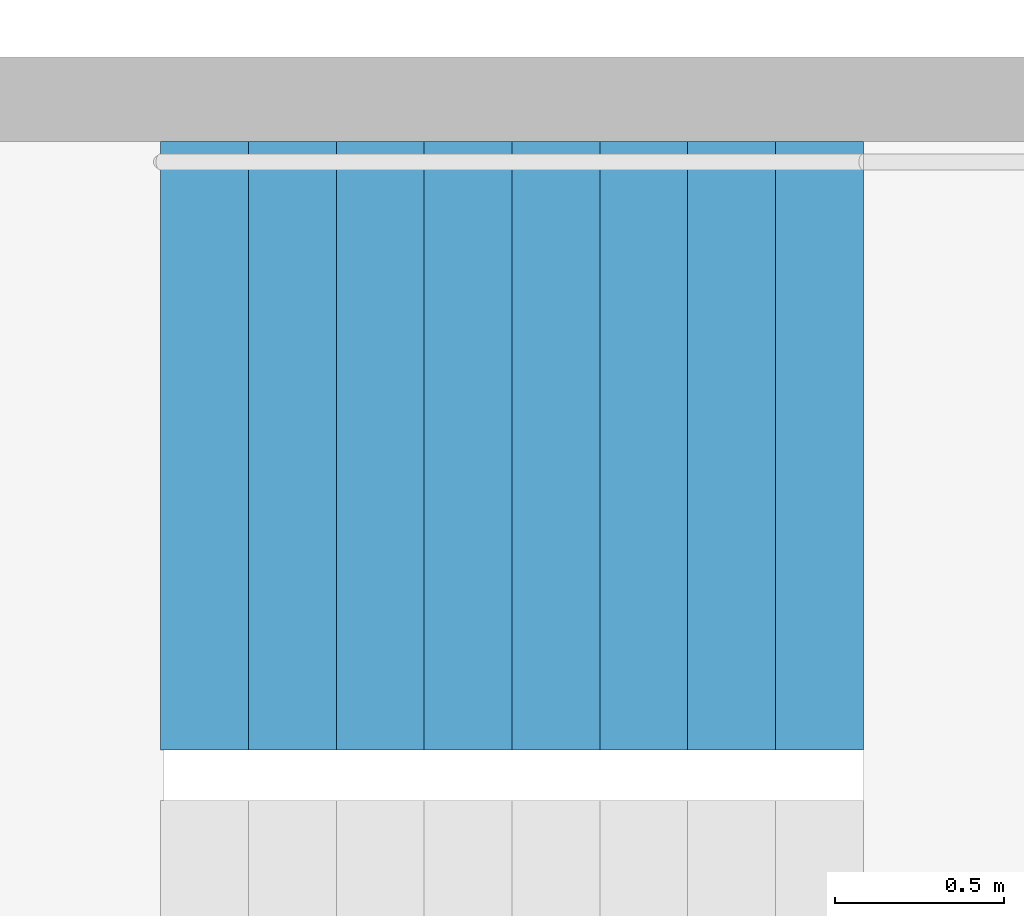
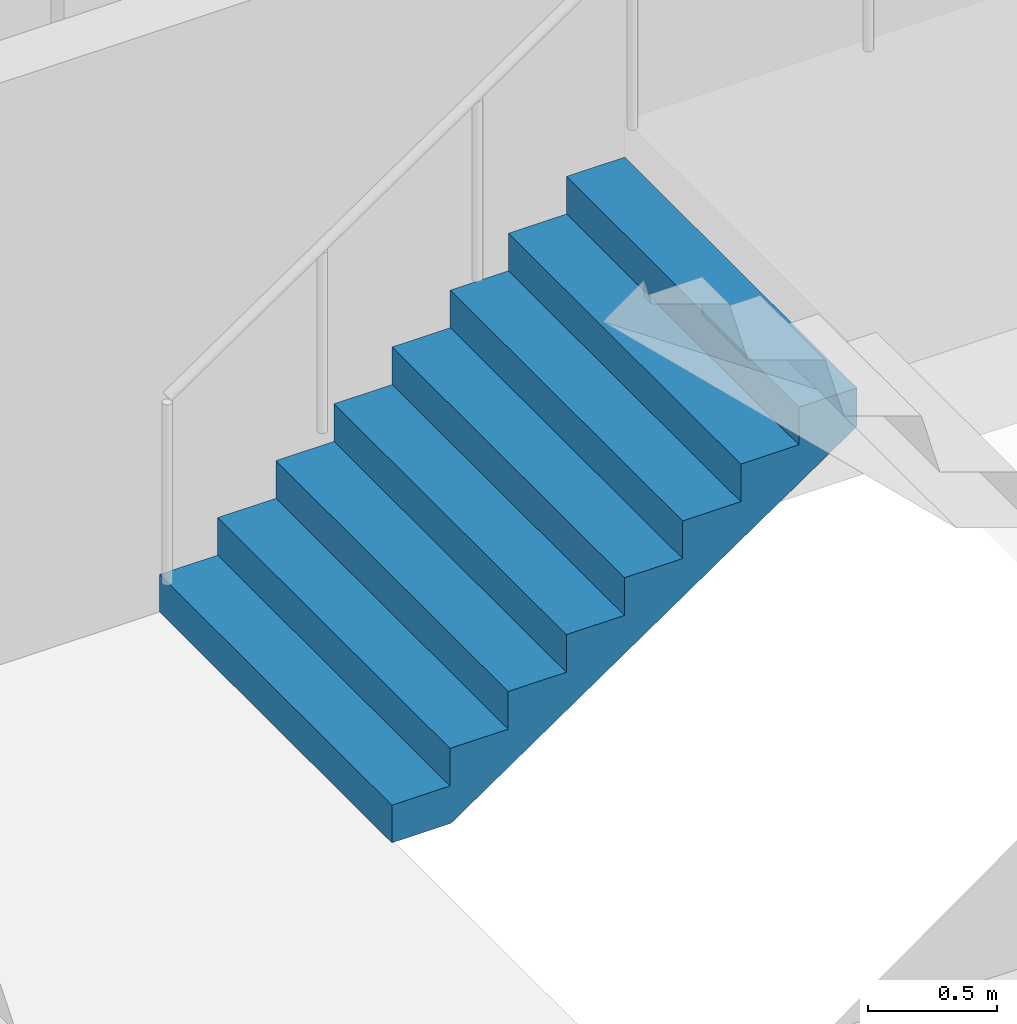
# One storey, part 23 of 26: 1 stair flight, 1 element without a shape of its own.
"""IFC4 building model written with IfcOpenShell, lengths in metres."""

from ifc_helpers import new_model, si_unit, direction, frame, origin, place, context, subcontext, project, spatial, triangles, material, type_object, element, aggregate, save


model = new_model("IFC4")

# Units and contexts
model_context = context("Model", 3, precision=1e-05, world=origin(), true_north=direction((0.0, 1.0)))
body_context = subcontext(model_context, "Body", "Model", "MODEL_VIEW")
ifc_project = project(units=[si_unit("LENGTHUNIT", "METRE"), si_unit("AREAUNIT", "SQUARE_METRE"), si_unit("VOLUMEUNIT", "CUBIC_METRE"), si_unit("PLANEANGLEUNIT", "RADIAN"), si_unit("MASSUNIT", "GRAM", prefix="KILO")], contexts=[model_context])

# Site, building, storey
site_placement = place(None, origin())
site = spatial("IfcSite", under=ifc_project, at=site_placement, CompositionType="ELEMENT")
building_placement = place(site_placement, origin())
building = spatial("IfcBuilding", under=site, at=building_placement, Name="Hakoniwa Tower and Hamabe Station Hall", CompositionType="ELEMENT")
storey_placement = place(building_placement, frame((0.0, 0.0, 215.39990234375)))
storey = spatial("IfcBuildingStorey", under=building, at=storey_placement, Name="L61", CompositionType="ELEMENT", Elevation=215.39990234375)

# Stair, stair flight
ifc_material_1 = material(Name="Concrete C40", Category="concrete")
stair_type = type_object("IfcStairType", Name="ESCAPE STAIR 1800", PredefinedType="HALF_TURN_STAIR", material=ifc_material_1)
stair_placement = place(storey_placement, origin())
stair = element("IfcStair", 1, at=stair_placement, inside=storey, type_object=stair_type, Name="Escape stair ST-4 L61", PredefinedType="HALF_TURN_STAIR")
ifc_material_2 = material(Name="Concrete C40", Category="concrete")
stair_flight_type = type_object("IfcStairFlightType", Name="STAIR FLIGHT 1800", PredefinedType="STRAIGHT", material=ifc_material_2)
stair_flight_placement = place(storey_placement, frame((23.39990234375, -4.64990234375, 0.0), z_axis=(0.0, 0.0, 1.0), x_axis=(1.0, 0.0, 0.0)))
stair_flight = element("IfcStairFlight", 2, at=stair_flight_placement, type_object=stair_flight_type, Name="ST-4 flight 1", NumberOfRisers=9, NumberOfTreads=8, PredefinedType="STRAIGHT", RiserHeight=0.177777778, TreadLength=0.26, context=body_context, shape_type="Tessellation", body=[
    triangles([(0.0, 0.89990234375, 0.0), (0.260009765625, 0.89990234375, 0.0), (0.265625, 0.89990234375, 0.0), (0.52001953125, 0.89990234375, 0.174072265625), (0.780029296875, 0.89990234375, 0.351806640625), (1.0400390625, 0.89990234375, 0.529541015625), (1.300048828125, 0.89990234375, 0.707275390625), (1.56005859375, 0.89990234375, 0.885009765625), (1.820068359375, 0.89990234375, 1.062744140625), (2.080078125, 0.89990234375, 1.24072265625), (2.080078125, 0.89990234375, 1.422119140625), (1.820068359375, 0.89990234375, 1.422119140625), (1.820068359375, 0.89990234375, 1.244384765625), (1.56005859375, 0.89990234375, 1.244384765625), (1.56005859375, 0.89990234375, 1.066650390625), (1.300048828125, 0.89990234375, 1.066650390625), (1.300048828125, 0.89990234375, 0.888916015625), (1.0400390625, 0.89990234375, 0.888916015625), (1.0400390625, 0.89990234375, 0.711181640625), (0.780029296875, 0.89990234375, 0.711181640625), (0.780029296875, 0.89990234375, 0.533447265625), (0.52001953125, 0.89990234375, 0.533447265625), (0.52001953125, 0.89990234375, 0.35546875), (0.265625, 0.89990234375, 0.35546875), (0.260009765625, 0.89990234375, 0.35546875), (0.260009765625, 0.89990234375, 0.177734375), (0.0, 0.89990234375, 0.177734375), (0.0, 0.06005859375, 0.0), (0.260009765625, 0.06005859375, 0.0), (0.265625, 0.06005859375, 0.0), (0.52001953125, 0.06005859375, 0.174072265625), (0.780029296875, 0.06005859375, 0.351806640625), (1.0400390625, 0.06005859375, 0.529541015625), (1.300048828125, 0.06005859375, 0.707275390625), (1.56005859375, 0.06005859375, 0.885009765625), (1.820068359375, 0.06005859375, 1.062744140625), (2.080078125, 0.06005859375, 1.24072265625), (2.080078125, 0.06005859375, 1.422119140625), (1.820068359375, 0.06005859375, 1.422119140625), (1.820068359375, 0.06005859375, 1.244384765625), (1.56005859375, 0.06005859375, 1.244384765625), (1.56005859375, 0.06005859375, 1.066650390625), (1.300048828125, 0.06005859375, 1.066650390625), (1.300048828125, 0.06005859375, 0.888916015625), (1.0400390625, 0.06005859375, 0.888916015625), (1.0400390625, 0.06005859375, 0.711181640625), (0.780029296875, 0.06005859375, 0.711181640625), (0.780029296875, 0.06005859375, 0.533447265625), (0.52001953125, 0.06005859375, 0.533447265625), (0.52001953125, 0.06005859375, 0.35546875), (0.265625, 0.06005859375, 0.35546875), (0.260009765625, 0.06005859375, 0.35546875), (0.260009765625, 0.06005859375, 0.177734375), (0.0, 0.06005859375, 0.177734375), (0.0, 0.04296875, 0.0), (0.260009765625, 0.04296875, 0.0), (0.265625, 0.04296875, 0.0), (0.52001953125, 0.04296875, 0.174072265625), (0.780029296875, 0.04296875, 0.351806640625), (1.0400390625, 0.04296875, 0.529541015625), (1.300048828125, 0.04296875, 0.707275390625), (1.56005859375, 0.04296875, 0.885009765625), (1.820068359375, 0.04296875, 1.062744140625), (2.080078125, 0.04296875, 1.24072265625), (2.080078125, 0.04296875, 1.422119140625), (1.820068359375, 0.04296875, 1.422119140625), (1.820068359375, 0.04296875, 1.244384765625), (1.56005859375, 0.04296875, 1.244384765625), (1.56005859375, 0.04296875, 1.066650390625), (1.300048828125, 0.04296875, 1.066650390625), (1.300048828125, 0.04296875, 0.888916015625), (1.0400390625, 0.04296875, 0.888916015625), (1.0400390625, 0.04296875, 0.711181640625), (0.780029296875, 0.04296875, 0.711181640625), (0.780029296875, 0.04296875, 0.533447265625), (0.52001953125, 0.04296875, 0.533447265625), (0.52001953125, 0.04296875, 0.35546875), (0.265625, 0.04296875, 0.35546875), (0.260009765625, 0.04296875, 0.35546875), (0.260009765625, 0.04296875, 0.177734375), (0.0, 0.04296875, 0.177734375), (0.0, 0.025634765625, 0.0), (0.260009765625, 0.025634765625, 0.0), (0.265625, 0.025634765625, 0.0), (0.52001953125, 0.025634765625, 0.174072265625), (0.780029296875, 0.025634765625, 0.351806640625), (1.0400390625, 0.025634765625, 0.529541015625), (1.300048828125, 0.025634765625, 0.707275390625), (1.56005859375, 0.025634765625, 0.885009765625), (1.820068359375, 0.025634765625, 1.062744140625), (2.080078125, 0.025634765625, 1.24072265625), (2.080078125, 0.025634765625, 1.422119140625), (1.820068359375, 0.025634765625, 1.422119140625), (1.820068359375, 0.025634765625, 1.244384765625), (1.56005859375, 0.025634765625, 1.244384765625), (1.56005859375, 0.025634765625, 1.066650390625), (1.300048828125, 0.025634765625, 1.066650390625), (1.300048828125, 0.025634765625, 0.888916015625), (1.0400390625, 0.025634765625, 0.888916015625), (1.0400390625, 0.025634765625, 0.711181640625), (0.780029296875, 0.025634765625, 0.711181640625), (0.780029296875, 0.025634765625, 0.533447265625), (0.52001953125, 0.025634765625, 0.533447265625), (0.52001953125, 0.025634765625, 0.35546875), (0.265625, 0.025634765625, 0.35546875), (0.260009765625, 0.025634765625, 0.35546875), (0.260009765625, 0.025634765625, 0.177734375), (0.0, 0.025634765625, 0.177734375), (0.0, 0.008544921875, 0.0), (0.260009765625, 0.008544921875, 0.0), (0.265625, 0.008544921875, 0.0), (0.52001953125, 0.008544921875, 0.174072265625), (0.780029296875, 0.008544921875, 0.351806640625), (1.0400390625, 0.008544921875, 0.529541015625), (1.300048828125, 0.008544921875, 0.707275390625), (1.56005859375, 0.008544921875, 0.885009765625), (1.820068359375, 0.008544921875, 1.062744140625), (2.080078125, 0.008544921875, 1.24072265625), (2.080078125, 0.008544921875, 1.422119140625), (1.820068359375, 0.008544921875, 1.422119140625), (1.820068359375, 0.008544921875, 1.244384765625), (1.56005859375, 0.008544921875, 1.244384765625), (1.56005859375, 0.008544921875, 1.066650390625), (1.300048828125, 0.008544921875, 1.066650390625), (1.300048828125, 0.008544921875, 0.888916015625), (1.0400390625, 0.008544921875, 0.888916015625), (1.0400390625, 0.008544921875, 0.711181640625), (0.780029296875, 0.008544921875, 0.711181640625), (0.780029296875, 0.008544921875, 0.533447265625), (0.52001953125, 0.008544921875, 0.533447265625), (0.52001953125, 0.008544921875, 0.35546875), (0.265625, 0.008544921875, 0.35546875), (0.260009765625, 0.008544921875, 0.35546875), (0.260009765625, 0.008544921875, 0.177734375), (0.0, 0.008544921875, 0.177734375), (0.0, -0.008544921875, 0.0), (0.260009765625, -0.008544921875, 0.0), (0.265625, -0.008544921875, 0.0), (0.52001953125, -0.008544921875, 0.174072265625), (0.780029296875, -0.008544921875, 0.351806640625), (1.0400390625, -0.008544921875, 0.529541015625), (1.300048828125, -0.008544921875, 0.707275390625), (1.56005859375, -0.008544921875, 0.885009765625), (1.820068359375, -0.008544921875, 1.062744140625), (2.080078125, -0.008544921875, 1.24072265625), (2.080078125, -0.008544921875, 1.422119140625), (1.820068359375, -0.008544921875, 1.422119140625), (1.820068359375, -0.008544921875, 1.244384765625), (1.56005859375, -0.008544921875, 1.244384765625), (1.56005859375, -0.008544921875, 1.066650390625), (1.300048828125, -0.008544921875, 1.066650390625), (1.300048828125, -0.008544921875, 0.888916015625), (1.0400390625, -0.008544921875, 0.888916015625), (1.0400390625, -0.008544921875, 0.711181640625), (0.780029296875, -0.008544921875, 0.711181640625), (0.780029296875, -0.008544921875, 0.533447265625), (0.52001953125, -0.008544921875, 0.533447265625), (0.52001953125, -0.008544921875, 0.35546875), (0.265625, -0.008544921875, 0.35546875), (0.260009765625, -0.008544921875, 0.35546875), (0.260009765625, -0.008544921875, 0.177734375), (0.0, -0.008544921875, 0.177734375), (0.0, -0.025634765625, 0.0), (0.260009765625, -0.025634765625, 0.0), (0.265625, -0.025634765625, 0.0), (0.52001953125, -0.025634765625, 0.174072265625), (0.780029296875, -0.025634765625, 0.351806640625), (1.0400390625, -0.025634765625, 0.529541015625), (1.300048828125, -0.025634765625, 0.707275390625), (1.56005859375, -0.025634765625, 0.885009765625), (1.820068359375, -0.025634765625, 1.062744140625), (2.080078125, -0.025634765625, 1.24072265625), (2.080078125, -0.025634765625, 1.422119140625), (1.820068359375, -0.025634765625, 1.422119140625), (1.820068359375, -0.025634765625, 1.244384765625), (1.56005859375, -0.025634765625, 1.244384765625), (1.56005859375, -0.025634765625, 1.066650390625), (1.300048828125, -0.025634765625, 1.066650390625), (1.300048828125, -0.025634765625, 0.888916015625), (1.0400390625, -0.025634765625, 0.888916015625), (1.0400390625, -0.025634765625, 0.711181640625), (0.780029296875, -0.025634765625, 0.711181640625), (0.780029296875, -0.025634765625, 0.533447265625), (0.52001953125, -0.025634765625, 0.533447265625), (0.52001953125, -0.025634765625, 0.35546875), (0.265625, -0.025634765625, 0.35546875), (0.260009765625, -0.025634765625, 0.35546875), (0.260009765625, -0.025634765625, 0.177734375), (0.0, -0.025634765625, 0.177734375), (0.0, -0.04296875, 0.0), (0.260009765625, -0.04296875, 0.0), (0.265625, -0.04296875, 0.0), (0.52001953125, -0.04296875, 0.174072265625), (0.780029296875, -0.04296875, 0.351806640625), (1.0400390625, -0.04296875, 0.529541015625), (1.300048828125, -0.04296875, 0.707275390625), (1.56005859375, -0.04296875, 0.885009765625), (1.820068359375, -0.04296875, 1.062744140625), (2.080078125, -0.04296875, 1.24072265625), (2.080078125, -0.04296875, 1.422119140625), (1.820068359375, -0.04296875, 1.422119140625), (1.820068359375, -0.04296875, 1.244384765625), (1.56005859375, -0.04296875, 1.244384765625), (1.56005859375, -0.04296875, 1.066650390625), (1.300048828125, -0.04296875, 1.066650390625), (1.300048828125, -0.04296875, 0.888916015625), (1.0400390625, -0.04296875, 0.888916015625), (1.0400390625, -0.04296875, 0.711181640625), (0.780029296875, -0.04296875, 0.711181640625), (0.780029296875, -0.04296875, 0.533447265625), (0.52001953125, -0.04296875, 0.533447265625), (0.52001953125, -0.04296875, 0.35546875), (0.265625, -0.04296875, 0.35546875), (0.260009765625, -0.04296875, 0.35546875), (0.260009765625, -0.04296875, 0.177734375), (0.0, -0.04296875, 0.177734375), (0.0, -0.06005859375, 0.0), (0.260009765625, -0.06005859375, 0.0), (0.265625, -0.06005859375, 0.0), (0.52001953125, -0.06005859375, 0.174072265625), (0.780029296875, -0.06005859375, 0.351806640625), (1.0400390625, -0.06005859375, 0.529541015625), (1.300048828125, -0.06005859375, 0.707275390625), (1.56005859375, -0.06005859375, 0.885009765625), (1.820068359375, -0.06005859375, 1.062744140625), (2.080078125, -0.06005859375, 1.24072265625), (2.080078125, -0.06005859375, 1.422119140625), (1.820068359375, -0.06005859375, 1.422119140625), (1.820068359375, -0.06005859375, 1.244384765625), (1.56005859375, -0.06005859375, 1.244384765625), (1.56005859375, -0.06005859375, 1.066650390625), (1.300048828125, -0.06005859375, 1.066650390625), (1.300048828125, -0.06005859375, 0.888916015625), (1.0400390625, -0.06005859375, 0.888916015625), (1.0400390625, -0.06005859375, 0.711181640625), (0.780029296875, -0.06005859375, 0.711181640625), (0.780029296875, -0.06005859375, 0.533447265625), (0.52001953125, -0.06005859375, 0.533447265625), (0.52001953125, -0.06005859375, 0.35546875), (0.265625, -0.06005859375, 0.35546875), (0.260009765625, -0.06005859375, 0.35546875), (0.260009765625, -0.06005859375, 0.177734375), (0.0, -0.06005859375, 0.177734375), (0.0, -0.89990234375, 0.0), (0.260009765625, -0.89990234375, 0.0), (0.265625, -0.89990234375, 0.0), (0.52001953125, -0.89990234375, 0.174072265625), (0.780029296875, -0.89990234375, 0.351806640625), (1.0400390625, -0.89990234375, 0.529541015625), (1.300048828125, -0.89990234375, 0.707275390625), (1.56005859375, -0.89990234375, 0.885009765625), (1.820068359375, -0.89990234375, 1.062744140625), (2.080078125, -0.89990234375, 1.24072265625), (2.080078125, -0.89990234375, 1.422119140625), (1.820068359375, -0.89990234375, 1.422119140625), (1.820068359375, -0.89990234375, 1.244384765625), (1.56005859375, -0.89990234375, 1.244384765625), (1.56005859375, -0.89990234375, 1.066650390625), (1.300048828125, -0.89990234375, 1.066650390625), (1.300048828125, -0.89990234375, 0.888916015625), (1.0400390625, -0.89990234375, 0.888916015625), (1.0400390625, -0.89990234375, 0.711181640625), (0.780029296875, -0.89990234375, 0.711181640625), (0.780029296875, -0.89990234375, 0.533447265625), (0.52001953125, -0.89990234375, 0.533447265625), (0.52001953125, -0.89990234375, 0.35546875), (0.265625, -0.89990234375, 0.35546875), (0.260009765625, -0.89990234375, 0.35546875), (0.260009765625, -0.89990234375, 0.177734375), (0.0, -0.89990234375, 0.177734375)], [[2, 27, 26], [245, 269, 270], [2, 1, 27], [245, 270, 244], [3, 25, 24], [246, 267, 268], [3, 26, 25], [246, 268, 269], [3, 2, 26], [246, 269, 245], [4, 24, 23], [247, 266, 267], [4, 3, 24], [247, 267, 246], [5, 22, 21], [248, 264, 265], [5, 23, 22], [248, 265, 266], [5, 4, 23], [248, 266, 247], [6, 20, 19], [249, 262, 263], [6, 21, 20], [249, 263, 264], [6, 5, 21], [249, 264, 248], [7, 18, 17], [250, 260, 261], [7, 19, 18], [250, 261, 262], [7, 6, 19], [250, 262, 249], [8, 16, 15], [251, 258, 259], [8, 17, 16], [251, 259, 260], [8, 7, 17], [251, 260, 250], [9, 14, 13], [252, 256, 257], [9, 15, 14], [252, 257, 258], [9, 8, 15], [252, 258, 251], [10, 12, 11], [253, 254, 255], [10, 13, 12], [253, 255, 256], [10, 9, 13], [253, 256, 252], [1, 2, 29], [1, 29, 28], [28, 29, 56], [28, 56, 55], [55, 56, 83], [55, 83, 82], [82, 83, 110], [82, 110, 109], [109, 110, 137], [109, 137, 136], [136, 137, 164], [136, 164, 163], [163, 164, 191], [163, 191, 190], [190, 191, 218], [190, 218, 217], [217, 218, 245], [217, 245, 244], [2, 3, 30], [2, 30, 29], [29, 30, 57], [29, 57, 56], [56, 57, 84], [56, 84, 83], [83, 84, 111], [83, 111, 110], [110, 111, 138], [110, 138, 137], [137, 138, 165], [137, 165, 164], [164, 165, 192], [164, 192, 191], [191, 192, 219], [191, 219, 218], [218, 219, 246], [218, 246, 245], [3, 4, 31], [3, 31, 30], [30, 31, 58], [30, 58, 57], [57, 58, 85], [57, 85, 84], [84, 85, 112], [84, 112, 111], [111, 112, 139], [111, 139, 138], [138, 139, 166], [138, 166, 165], [165, 166, 193], [165, 193, 192], [192, 193, 220], [192, 220, 219], [219, 220, 247], [219, 247, 246], [4, 5, 32], [4, 32, 31], [31, 32, 59], [31, 59, 58], [58, 59, 86], [58, 86, 85], [85, 86, 113], [85, 113, 112], [112, 113, 140], [112, 140, 139], [139, 140, 167], [139, 167, 166], [166, 167, 194], [166, 194, 193], [193, 194, 221], [193, 221, 220], [220, 221, 248], [220, 248, 247], [5, 6, 33], [5, 33, 32], [32, 33, 60], [32, 60, 59], [59, 60, 87], [59, 87, 86], [86, 87, 114], [86, 114, 113], [113, 114, 141], [113, 141, 140], [140, 141, 168], [140, 168, 167], [167, 168, 195], [167, 195, 194], [194, 195, 222], [194, 222, 221], [221, 222, 249], [221, 249, 248], [6, 7, 34], [6, 34, 33], [33, 34, 61], [33, 61, 60], [60, 61, 88], [60, 88, 87], [87, 88, 115], [87, 115, 114], [114, 115, 142], [114, 142, 141], [141, 142, 169], [141, 169, 168], [168, 169, 196], [168, 196, 195], [195, 196, 223], [195, 223, 222], [222, 223, 250], [222, 250, 249], [7, 8, 35], [7, 35, 34], [34, 35, 62], [34, 62, 61], [61, 62, 89], [61, 89, 88], [88, 89, 116], [88, 116, 115], [115, 116, 143], [115, 143, 142], [142, 143, 170], [142, 170, 169], [169, 170, 197], [169, 197, 196], [196, 197, 224], [196, 224, 223], [223, 224, 251], [223, 251, 250], [8, 9, 36], [8, 36, 35], [35, 36, 63], [35, 63, 62], [62, 63, 90], [62, 90, 89], [89, 90, 117], [89, 117, 116], [116, 117, 144], [116, 144, 143], [143, 144, 171], [143, 171, 170], [170, 171, 198], [170, 198, 197], [197, 198, 225], [197, 225, 224], [224, 225, 252], [224, 252, 251], [9, 10, 37], [9, 37, 36], [36, 37, 64], [36, 64, 63], [63, 64, 91], [63, 91, 90], [90, 91, 118], [90, 118, 117], [117, 118, 145], [117, 145, 144], [144, 145, 172], [144, 172, 171], [171, 172, 199], [171, 199, 198], [198, 199, 226], [198, 226, 225], [225, 226, 253], [225, 253, 252], [10, 11, 38], [10, 38, 37], [37, 38, 65], [37, 65, 64], [64, 65, 92], [64, 92, 91], [91, 92, 119], [91, 119, 118], [118, 119, 146], [118, 146, 145], [145, 146, 173], [145, 173, 172], [172, 173, 200], [172, 200, 199], [199, 200, 227], [199, 227, 226], [226, 227, 254], [226, 254, 253], [11, 12, 39], [11, 39, 38], [38, 39, 66], [38, 66, 65], [65, 66, 93], [65, 93, 92], [92, 93, 120], [92, 120, 119], [119, 120, 147], [119, 147, 146], [146, 147, 174], [146, 174, 173], [173, 174, 201], [173, 201, 200], [200, 201, 228], [200, 228, 227], [227, 228, 255], [227, 255, 254], [12, 13, 40], [12, 40, 39], [39, 40, 67], [39, 67, 66], [66, 67, 94], [66, 94, 93], [93, 94, 121], [93, 121, 120], [120, 121, 148], [120, 148, 147], [147, 148, 175], [147, 175, 174], [174, 175, 202], [174, 202, 201], [201, 202, 229], [201, 229, 228], [228, 229, 256], [228, 256, 255], [13, 14, 41], [13, 41, 40], [40, 41, 68], [40, 68, 67], [67, 68, 95], [67, 95, 94], [94, 95, 122], [94, 122, 121], [121, 122, 149], [121, 149, 148], [148, 149, 176], [148, 176, 175], [175, 176, 203], [175, 203, 202], [202, 203, 230], [202, 230, 229], [229, 230, 257], [229, 257, 256], [14, 15, 42], [14, 42, 41], [41, 42, 69], [41, 69, 68], [68, 69, 96], [68, 96, 95], [95, 96, 123], [95, 123, 122], [122, 123, 150], [122, 150, 149], [149, 150, 177], [149, 177, 176], [176, 177, 204], [176, 204, 203], [203, 204, 231], [203, 231, 230], [230, 231, 258], [230, 258, 257], [15, 16, 43], [15, 43, 42], [42, 43, 70], [42, 70, 69], [69, 70, 97], [69, 97, 96], [96, 97, 124], [96, 124, 123], [123, 124, 151], [123, 151, 150], [150, 151, 178], [150, 178, 177], [177, 178, 205], [177, 205, 204], [204, 205, 232], [204, 232, 231], [231, 232, 259], [231, 259, 258], [16, 17, 44], [16, 44, 43], [43, 44, 71], [43, 71, 70], [70, 71, 98], [70, 98, 97], [97, 98, 125], [97, 125, 124], [124, 125, 152], [124, 152, 151], [151, 152, 179], [151, 179, 178], [178, 179, 206], [178, 206, 205], [205, 206, 233], [205, 233, 232], [232, 233, 260], [232, 260, 259], [17, 18, 45], [17, 45, 44], [44, 45, 72], [44, 72, 71], [71, 72, 99], [71, 99, 98], [98, 99, 126], [98, 126, 125], [125, 126, 153], [125, 153, 152], [152, 153, 180], [152, 180, 179], [179, 180, 207], [179, 207, 206], [206, 207, 234], [206, 234, 233], [233, 234, 261], [233, 261, 260], [18, 19, 46], [18, 46, 45], [45, 46, 73], [45, 73, 72], [72, 73, 100], [72, 100, 99], [99, 100, 127], [99, 127, 126], [126, 127, 154], [126, 154, 153], [153, 154, 181], [153, 181, 180], [180, 181, 208], [180, 208, 207], [207, 208, 235], [207, 235, 234], [234, 235, 262], [234, 262, 261], [19, 20, 47], [19, 47, 46], [46, 47, 74], [46, 74, 73], [73, 74, 101], [73, 101, 100], [100, 101, 128], [100, 128, 127], [127, 128, 155], [127, 155, 154], [154, 155, 182], [154, 182, 181], [181, 182, 209], [181, 209, 208], [208, 209, 236], [208, 236, 235], [235, 236, 263], [235, 263, 262], [20, 21, 48], [20, 48, 47], [47, 48, 75], [47, 75, 74], [74, 75, 102], [74, 102, 101], [101, 102, 129], [101, 129, 128], [128, 129, 156], [128, 156, 155], [155, 156, 183], [155, 183, 182], [182, 183, 210], [182, 210, 209], [209, 210, 237], [209, 237, 236], [236, 237, 264], [236, 264, 263], [21, 22, 49], [21, 49, 48], [48, 49, 76], [48, 76, 75], [75, 76, 103], [75, 103, 102], [102, 103, 130], [102, 130, 129], [129, 130, 157], [129, 157, 156], [156, 157, 184], [156, 184, 183], [183, 184, 211], [183, 211, 210], [210, 211, 238], [210, 238, 237], [237, 238, 265], [237, 265, 264], [22, 23, 50], [22, 50, 49], [49, 50, 77], [49, 77, 76], [76, 77, 104], [76, 104, 103], [103, 104, 131], [103, 131, 130], [130, 131, 158], [130, 158, 157], [157, 158, 185], [157, 185, 184], [184, 185, 212], [184, 212, 211], [211, 212, 239], [211, 239, 238], [238, 239, 266], [238, 266, 265], [23, 24, 51], [23, 51, 50], [50, 51, 78], [50, 78, 77], [77, 78, 105], [77, 105, 104], [104, 105, 132], [104, 132, 131], [131, 132, 159], [131, 159, 158], [158, 159, 186], [158, 186, 185], [185, 186, 213], [185, 213, 212], [212, 213, 240], [212, 240, 239], [239, 240, 267], [239, 267, 266], [24, 25, 52], [24, 52, 51], [51, 52, 79], [51, 79, 78], [78, 79, 106], [78, 106, 105], [105, 106, 133], [105, 133, 132], [132, 133, 160], [132, 160, 159], [159, 160, 187], [159, 187, 186], [186, 187, 214], [186, 214, 213], [213, 214, 241], [213, 241, 240], [240, 241, 268], [240, 268, 267], [25, 26, 53], [25, 53, 52], [52, 53, 80], [52, 80, 79], [79, 80, 107], [79, 107, 106], [106, 107, 134], [106, 134, 133], [133, 134, 161], [133, 161, 160], [160, 161, 188], [160, 188, 187], [187, 188, 215], [187, 215, 214], [214, 215, 242], [214, 242, 241], [241, 242, 269], [241, 269, 268], [26, 27, 54], [26, 54, 53], [53, 54, 81], [53, 81, 80], [80, 81, 108], [80, 108, 107], [107, 108, 135], [107, 135, 134], [134, 135, 162], [134, 162, 161], [161, 162, 189], [161, 189, 188], [188, 189, 216], [188, 216, 215], [215, 216, 243], [215, 243, 242], [242, 243, 270], [242, 270, 269], [27, 1, 28], [27, 28, 54], [54, 28, 55], [54, 55, 81], [81, 55, 82], [81, 82, 108], [108, 82, 109], [108, 109, 135], [135, 109, 136], [135, 136, 162], [162, 136, 163], [162, 163, 189], [189, 163, 190], [189, 190, 216], [216, 190, 217], [216, 217, 243], [243, 217, 244], [243, 244, 270]], closed=True),
])
aggregate(stair, [stair_flight])

save(model, "model.ifc")
